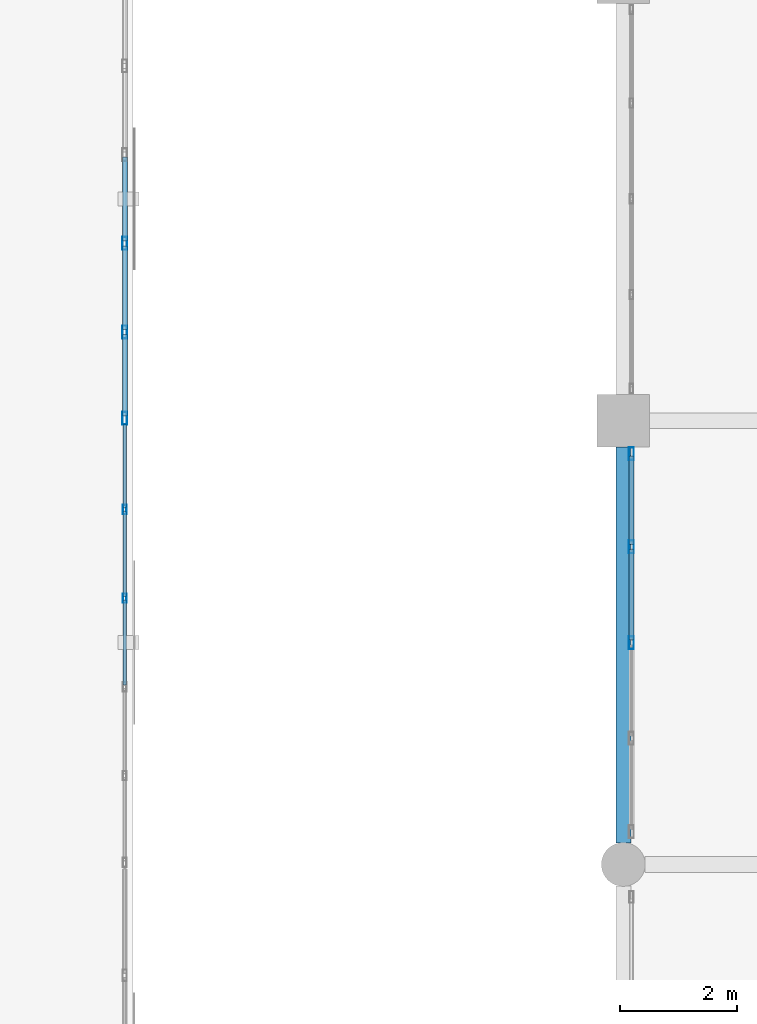
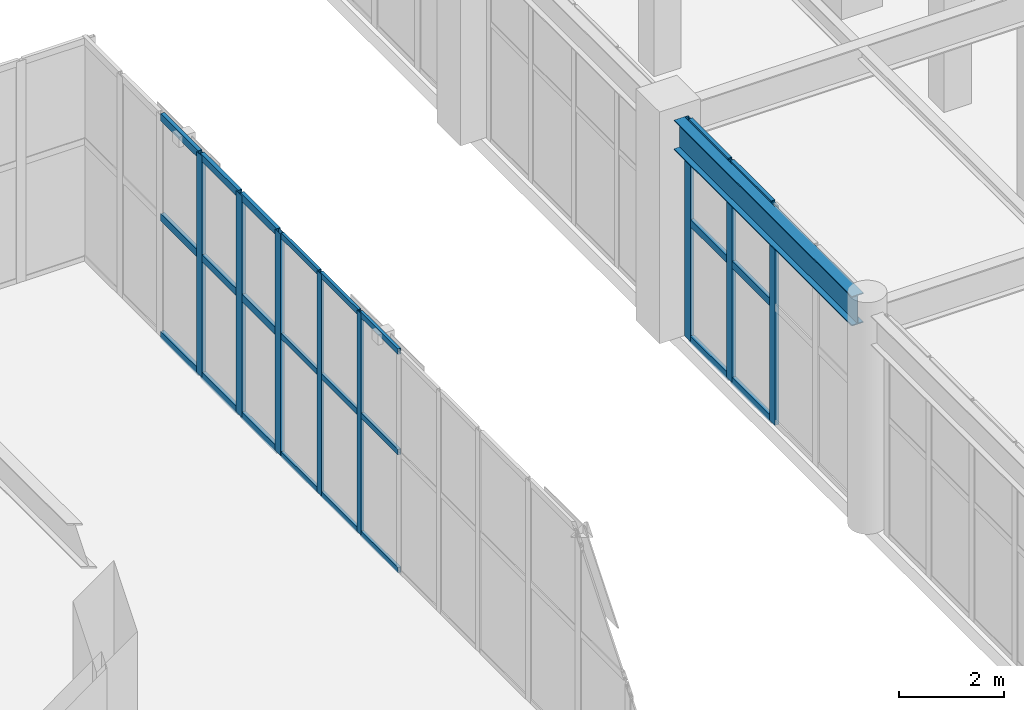
# One storey, part 52 of 139: 32 members, 1 beam, 3 elements without a shape of their own.
"""IFC4 building model written with IfcOpenShell, lengths in metres."""

from ifc_helpers import new_model, si_unit, direction, frame, origin, origin_2d, place, context, subcontext, project, spatial, hollow_rectangle, i_section, extrude, material, layer, layer_set, material_profile, profile_set, type_object, element, aggregate, save


model = new_model("IFC4")

# Units and contexts
model_context = context("Model", 3, precision=1e-05, world=origin(), true_north=direction((0.0, 1.0)))
body_context = subcontext(model_context, "Body", "Model", "MODEL_VIEW")
ifc_project = project(units=[si_unit("LENGTHUNIT", "METRE"), si_unit("AREAUNIT", "SQUARE_METRE"), si_unit("VOLUMEUNIT", "CUBIC_METRE"), si_unit("PLANEANGLEUNIT", "RADIAN"), si_unit("MASSUNIT", "GRAM", prefix="KILO")], contexts=[model_context])

# Site, building, storey
site_placement = place(None, origin())
site = spatial("IfcSite", under=ifc_project, at=site_placement, CompositionType="ELEMENT")
building_placement = place(site_placement, origin())
building = spatial("IfcBuilding", under=site, at=building_placement, Name="Xicomal Pleat Aquarium", CompositionType="ELEMENT")
storey_placement = place(building_placement, origin())
storey = spatial("IfcBuildingStorey", under=building, at=storey_placement, Name="L01", CompositionType="ELEMENT", Elevation=0.0)

# Beam
ifc_material_1 = material(Name="Structural steel A992 Gr 50", Category="steel")
ifc_material_profile_1 = material_profile(ifc_material_1, i_section(OverallWidth=0.256103515625, OverallDepth=0.693115234375, WebThickness=0.014404296875, FlangeThickness=0.023681640625, at=origin_2d()), Name="IR 690x170")
ifc_profile_set_1 = profile_set([ifc_material_profile_1], Name="Structural steel A992 Gr 50")
beam_type = type_object("IfcBeamType", Name="BM-STL-IR690", PredefinedType="BEAM", material=ifc_profile_set_1)
beam_placement = place(storey_placement, frame((43.800048828125, 61.169921875, 4.75341796875), z_axis=(0.0, 1.0, 0.0), x_axis=(-1.0, 0.0, 0.0)))
element("IfcBeam", 1, at=beam_placement, inside=storey, type_object=beam_type, Name="L01 framing beam FGY-L01-06-J-K", PredefinedType="BEAM", context=body_context, shape_type="SweptSolid", body=[
    extrude(i_section(OverallWidth=0.256103515625, OverallDepth=0.693115234375, WebThickness=0.014404296875, FlangeThickness=0.023681640625, at=origin_2d()), origin(), (0.0, 0.0, 1.0), 6.78515625),
])

# Curtain wall, members
ifc_material_2 = material(Name="Bronze anodized aluminium 6063-T6", Category="aluminium")
ifc_layer_1 = layer(ifc_material_2, 0.159912109375)
ifc_layer_set_1 = layer_set([ifc_layer_1], Name="Bronze anodized aluminium 6063-T6")
curtain_wall_type_1 = type_object("IfcCurtainWallType", Name="CW-SYS-01", PredefinedType="NOTDEFINED", material=ifc_layer_set_1)
curtain_wall_1_placement = place(storey_placement, origin())
curtain_wall_1 = element("IfcCurtainWall", 2, at=curtain_wall_1_placement, inside=storey, type_object=curtain_wall_type_1, Name="L01 unitised curtain wall CW-L01-024", PredefinedType="NOTDEFINED")
ifc_material_3 = material(Name="Bronze anodized aluminium 6063-T6", Category="aluminium")
ifc_material_profile_2 = material_profile(ifc_material_3, hollow_rectangle(XDim=0.06494140625, YDim=0.159912109375, WallThickness=0.00390625, at=origin_2d()), Name="ALU MULL 65x160")
ifc_profile_set_2 = profile_set([ifc_material_profile_2], Name="Bronze anodized aluminium 6063-T6")
member_type_1 = type_object("IfcMemberType", Name="CWM-65x160", PredefinedType="MULLION", material=ifc_profile_set_2)
member_1_placement = place(storey_placement, frame((35.260009765625, 66.8798828125, 0.0), z_axis=(0.0, 0.0, 1.0), x_axis=(1.0, 0.0, 0.0)))
member_1 = element("IfcMember", 3, at=member_1_placement, type_object=member_type_1, Name="CW-01 mullion 2", PredefinedType="MULLION", context=body_context, shape_type="SweptSolid", body=[
    extrude(hollow_rectangle(XDim=0.06494140625, YDim=0.159912109375, WallThickness=0.00390625, at=origin_2d()), origin(), (0.0, 0.0, 1.0), 5.159912109375),
])
member_2_placement = place(storey_placement, frame((35.260009765625, 65.360107421875, 0.0), z_axis=(0.0, 0.0, 1.0), x_axis=(1.0, 0.0, 0.0)))
member_2 = element("IfcMember", 4, at=member_2_placement, type_object=member_type_1, Name="CW-01 mullion 3", PredefinedType="MULLION", context=body_context, shape_type="SweptSolid", body=[
    extrude(hollow_rectangle(XDim=0.06494140625, YDim=0.159912109375, WallThickness=0.00390625, at=origin_2d()), origin(), (0.0, 0.0, 1.0), 5.159912109375),
])

ifc_material_4 = material(Name="Bronze anodized aluminium 6063-T6", Category="aluminium")
ifc_layer_2 = layer(ifc_material_4, 0.159912109375)
ifc_layer_set_2 = layer_set([ifc_layer_2], Name="Bronze anodized aluminium 6063-T6")
curtain_wall_type_2 = type_object("IfcCurtainWallType", Name="CW-SYS-11", PredefinedType="NOTDEFINED", material=ifc_layer_set_2)
curtain_wall_2_placement = place(storey_placement, origin())
curtain_wall_2 = element("IfcCurtainWall", 5, at=curtain_wall_2_placement, inside=storey, type_object=curtain_wall_type_2, Name="L01 unitised curtain wall CW-L01-023", PredefinedType="NOTDEFINED")
ifc_material_5 = material(Name="Bronze anodized aluminium 6063-T6", Category="aluminium")
ifc_material_profile_3 = material_profile(ifc_material_5, hollow_rectangle(XDim=0.0849609375, YDim=0.219970703125, WallThickness=0.0048828125, at=origin_2d()), Name="ALU MULL 85x220")
ifc_profile_set_3 = profile_set([ifc_material_profile_3], Name="Bronze anodized aluminium 6063-T6")
member_type_2 = type_object("IfcMemberType", Name="CWM-85x220", PredefinedType="MULLION", material=ifc_profile_set_3)
member_3_placement = place(storey_placement, frame((35.260009765625, 71.43994140625, 0.0), z_axis=(0.0, 0.0, 1.0), x_axis=(1.0, 0.0, 0.0)))
member_3 = element("IfcMember", 6, at=member_3_placement, type_object=member_type_2, Name="CW-11 mullion 4", PredefinedType="MULLION", context=body_context, shape_type="SweptSolid", body=[
    extrude(hollow_rectangle(XDim=0.0849609375, YDim=0.219970703125, WallThickness=0.0048828125, at=origin_2d()), origin(), (0.0, 0.0, 1.0), 5.159912109375),
])
member_4_placement = place(storey_placement, frame((35.260009765625, 69.919921875, 0.0), z_axis=(0.0, 0.0, 1.0), x_axis=(1.0, 0.0, 0.0)))
member_4 = element("IfcMember", 7, at=member_4_placement, type_object=member_type_2, Name="CW-11 mullion 5", PredefinedType="MULLION", context=body_context, shape_type="SweptSolid", body=[
    extrude(hollow_rectangle(XDim=0.0849609375, YDim=0.219970703125, WallThickness=0.0048828125, at=origin_2d()), origin(), (0.0, 0.0, 1.0), 5.159912109375),
])
member_5_placement = place(storey_placement, frame((35.260009765625, 68.4423828125, 0.0), z_axis=(0.0, 0.0, 1.0), x_axis=(1.0, 0.0, 0.0)))
member_5 = element("IfcMember", 8, at=member_5_placement, type_object=member_type_2, Name="CW-11 mullion 6", PredefinedType="MULLION", context=body_context, shape_type="SweptSolid", body=[
    extrude(hollow_rectangle(XDim=0.0849609375, YDim=0.219970703125, WallThickness=0.0048828125, at=origin_2d()), origin(), (0.0, 0.0, 1.0), 5.159912109375),
])

curtain_wall_3_placement = place(storey_placement, origin())
curtain_wall_3 = element("IfcCurtainWall", 9, at=curtain_wall_3_placement, inside=storey, type_object=curtain_wall_type_2, Name="L01 unitised curtain wall CW-L01-032", PredefinedType="NOTDEFINED")
member_6_placement = place(storey_placement, frame((43.93994140625, 64.60009765625, 0.0), z_axis=(0.0, 0.0, 1.0), x_axis=(-1.0, 0.0, 0.0)))
member_6 = element("IfcMember", 10, at=member_6_placement, type_object=member_type_2, Name="CW-11 mullion 3", PredefinedType="MULLION", context=body_context, shape_type="SweptSolid", body=[
    extrude(hollow_rectangle(XDim=0.0849609375, YDim=0.219970703125, WallThickness=0.0048828125, at=origin_2d()), origin(), (0.0, 0.0, 1.0), 5.10009765625),
])
member_7_placement = place(storey_placement, frame((43.93994140625, 66.239990234375, 0.0), z_axis=(0.0, 0.0, 1.0), x_axis=(-1.0, 0.0, 0.0)))
member_7 = element("IfcMember", 11, at=member_7_placement, type_object=member_type_2, Name="CW-11 mullion 4", PredefinedType="MULLION", context=body_context, shape_type="SweptSolid", body=[
    extrude(hollow_rectangle(XDim=0.0849609375, YDim=0.219970703125, WallThickness=0.0048828125, at=origin_2d()), origin(), (0.0, 0.0, 1.0), 5.10009765625),
])
member_8_placement = place(storey_placement, frame((43.93994140625, 67.83740234375, 0.0), z_axis=(0.0, 0.0, 1.0), x_axis=(-1.0, 0.0, 0.0)))
member_8 = element("IfcMember", 12, at=member_8_placement, type_object=member_type_2, Name="CW-11 mullion 5", PredefinedType="MULLION", context=body_context, shape_type="SweptSolid", body=[
    extrude(hollow_rectangle(XDim=0.0849609375, YDim=0.219970703125, WallThickness=0.0048828125, at=origin_2d()), origin(), (0.0, 0.0, 1.0), 5.10009765625),
])

# Member
ifc_material_6 = material(Name="Bronze anodized aluminium 6063-T6", Category="aluminium")
ifc_material_profile_4 = material_profile(ifc_material_6, hollow_rectangle(XDim=0.06494140625, YDim=0.1298828125, WallThickness=0.00390625, at=origin_2d()), Name="ALU TRAN 65x130")
ifc_profile_set_4 = profile_set([ifc_material_profile_4], Name="Bronze anodized aluminium 6063-T6")
member_type_3 = type_object("IfcMemberType", Name="CWT-65x130", PredefinedType="USERDEFINED", material=ifc_profile_set_4)
member_9_placement = place(storey_placement, frame((35.260009765625, 68.3349609375, 0.032470703125), z_axis=(0.0, -1.0, 0.0), x_axis=(1.0, 0.0, 0.0)))
member_9 = element("IfcMember", 13, at=member_9_placement, type_object=member_type_3, Name="CW-01 transom 1.1", ObjectType="TRANSOM", PredefinedType="USERDEFINED", context=body_context, shape_type="SweptSolid", body=[
    extrude(hollow_rectangle(XDim=0.06494140625, YDim=0.1298828125, WallThickness=0.00390625, at=origin_2d()), origin(), (0.0, 0.0, 1.0), 1.42236328125),
])

member_10_placement = place(storey_placement, frame((35.260009765625, 68.3349609375, 2.785888671875), z_axis=(0.0, -1.0, 0.0), x_axis=(1.0, 0.0, 0.0)))
member_10 = element("IfcMember", 14, at=member_10_placement, type_object=member_type_3, Name="CW-01 transom 1.2", ObjectType="TRANSOM", PredefinedType="USERDEFINED", context=body_context, shape_type="SweptSolid", body=[
    extrude(hollow_rectangle(XDim=0.06494140625, YDim=0.1298828125, WallThickness=0.00390625, at=origin_2d()), origin(), (0.0, 0.0, 1.0), 1.42236328125),
])

member_11_placement = place(storey_placement, frame((35.260009765625, 68.3349609375, 5.12744140625), z_axis=(0.0, -1.0, 0.0), x_axis=(1.0, 0.0, 0.0)))
member_11 = element("IfcMember", 15, at=member_11_placement, type_object=member_type_3, Name="CW-01 transom 1.3", ObjectType="TRANSOM", PredefinedType="USERDEFINED", context=body_context, shape_type="SweptSolid", body=[
    extrude(hollow_rectangle(XDim=0.06494140625, YDim=0.1298828125, WallThickness=0.00390625, at=origin_2d()), origin(), (0.0, 0.0, 1.0), 1.42236328125),
])

member_12_placement = place(storey_placement, frame((35.260009765625, 66.847412109375, 0.032470703125), z_axis=(0.0, -1.0, 0.0), x_axis=(1.0, 0.0, 0.0)))
member_12 = element("IfcMember", 16, at=member_12_placement, type_object=member_type_3, Name="CW-01 transom 2.1", ObjectType="TRANSOM", PredefinedType="USERDEFINED", context=body_context, shape_type="SweptSolid", body=[
    extrude(hollow_rectangle(XDim=0.06494140625, YDim=0.1298828125, WallThickness=0.00390625, at=origin_2d()), origin(), (0.0, 0.0, 1.0), 1.454833984375),
])

member_13_placement = place(storey_placement, frame((35.260009765625, 66.847412109375, 2.785888671875), z_axis=(0.0, -1.0, 0.0), x_axis=(1.0, 0.0, 0.0)))
member_13 = element("IfcMember", 17, at=member_13_placement, type_object=member_type_3, Name="CW-01 transom 2.2", ObjectType="TRANSOM", PredefinedType="USERDEFINED", context=body_context, shape_type="SweptSolid", body=[
    extrude(hollow_rectangle(XDim=0.06494140625, YDim=0.1298828125, WallThickness=0.00390625, at=origin_2d()), origin(), (0.0, 0.0, 1.0), 1.454833984375),
])

member_14_placement = place(storey_placement, frame((35.260009765625, 66.847412109375, 5.12744140625), z_axis=(0.0, -1.0, 0.0), x_axis=(1.0, 0.0, 0.0)))
member_14 = element("IfcMember", 18, at=member_14_placement, type_object=member_type_3, Name="CW-01 transom 2.3", ObjectType="TRANSOM", PredefinedType="USERDEFINED", context=body_context, shape_type="SweptSolid", body=[
    extrude(hollow_rectangle(XDim=0.06494140625, YDim=0.1298828125, WallThickness=0.00390625, at=origin_2d()), origin(), (0.0, 0.0, 1.0), 1.454833984375),
])

member_15_placement = place(storey_placement, frame((35.260009765625, 65.327392578125, 0.032470703125), z_axis=(0.0, -1.0, 0.0), x_axis=(1.0, 0.0, 0.0)))
member_15 = element("IfcMember", 19, at=member_15_placement, type_object=member_type_3, Name="CW-01 transom 3.1", ObjectType="TRANSOM", PredefinedType="USERDEFINED", context=body_context, shape_type="SweptSolid", body=[
    extrude(hollow_rectangle(XDim=0.06494140625, YDim=0.1298828125, WallThickness=0.00390625, at=origin_2d()), origin(), (0.0, 0.0, 1.0), 1.454833984375),
])

member_16_placement = place(storey_placement, frame((35.260009765625, 65.327392578125, 2.785888671875), z_axis=(0.0, -1.0, 0.0), x_axis=(1.0, 0.0, 0.0)))
member_16 = element("IfcMember", 20, at=member_16_placement, type_object=member_type_3, Name="CW-01 transom 3.2", ObjectType="TRANSOM", PredefinedType="USERDEFINED", context=body_context, shape_type="SweptSolid", body=[
    extrude(hollow_rectangle(XDim=0.06494140625, YDim=0.1298828125, WallThickness=0.00390625, at=origin_2d()), origin(), (0.0, 0.0, 1.0), 1.454833984375),
])

member_17_placement = place(storey_placement, frame((35.260009765625, 65.327392578125, 5.12744140625), z_axis=(0.0, -1.0, 0.0), x_axis=(1.0, 0.0, 0.0)))
member_17 = element("IfcMember", 21, at=member_17_placement, type_object=member_type_3, Name="CW-01 transom 3.3", ObjectType="TRANSOM", PredefinedType="USERDEFINED", context=body_context, shape_type="SweptSolid", body=[
    extrude(hollow_rectangle(XDim=0.06494140625, YDim=0.1298828125, WallThickness=0.00390625, at=origin_2d()), origin(), (0.0, 0.0, 1.0), 1.454833984375),
])

aggregate(curtain_wall_1, [member_1, member_2, member_9, member_10, member_11, member_12, member_13, member_14, member_15, member_16, member_17])

ifc_material_7 = material(Name="Bronze anodized aluminium 6063-T6", Category="aluminium")
ifc_material_profile_5 = material_profile(ifc_material_7, hollow_rectangle(XDim=0.0849609375, YDim=0.169921875, WallThickness=0.0048828125, at=origin_2d()), Name="ALU TRAN 85x170")
ifc_profile_set_5 = profile_set([ifc_material_profile_5], Name="Bronze anodized aluminium 6063-T6")
member_type_4 = type_object("IfcMemberType", Name="CWT-85x170", PredefinedType="USERDEFINED", material=ifc_profile_set_5)
member_18_placement = place(storey_placement, frame((35.260009765625, 72.91748046875, 0.04248046875), z_axis=(0.0, -1.0, 0.0), x_axis=(1.0, 0.0, 0.0)))
member_18 = element("IfcMember", 22, at=member_18_placement, type_object=member_type_4, Name="CW-11 transom 3.1", ObjectType="TRANSOM", PredefinedType="USERDEFINED", context=body_context, shape_type="SweptSolid", body=[
    extrude(hollow_rectangle(XDim=0.0849609375, YDim=0.169921875, WallThickness=0.0048828125, at=origin_2d()), origin(), (0.0, 0.0, 1.0), 1.43505859375),
])

member_19_placement = place(storey_placement, frame((35.260009765625, 72.91748046875, 2.785888671875), z_axis=(0.0, -1.0, 0.0), x_axis=(1.0, 0.0, 0.0)))
member_19 = element("IfcMember", 23, at=member_19_placement, type_object=member_type_4, Name="CW-11 transom 3.2", ObjectType="TRANSOM", PredefinedType="USERDEFINED", context=body_context, shape_type="SweptSolid", body=[
    extrude(hollow_rectangle(XDim=0.0849609375, YDim=0.169921875, WallThickness=0.0048828125, at=origin_2d()), origin(), (0.0, 0.0, 1.0), 1.43505859375),
])

member_20_placement = place(storey_placement, frame((35.260009765625, 72.91748046875, 5.117431640625), z_axis=(0.0, -1.0, 0.0), x_axis=(1.0, 0.0, 0.0)))
member_20 = element("IfcMember", 24, at=member_20_placement, type_object=member_type_4, Name="CW-11 transom 3.3", ObjectType="TRANSOM", PredefinedType="USERDEFINED", context=body_context, shape_type="SweptSolid", body=[
    extrude(hollow_rectangle(XDim=0.0849609375, YDim=0.169921875, WallThickness=0.0048828125, at=origin_2d()), origin(), (0.0, 0.0, 1.0), 1.43505859375),
])

member_21_placement = place(storey_placement, frame((35.260009765625, 71.3974609375, 0.04248046875), z_axis=(0.0, -1.0, 0.0), x_axis=(1.0, 0.0, 0.0)))
member_21 = element("IfcMember", 25, at=member_21_placement, type_object=member_type_4, Name="CW-11 transom 4.1", ObjectType="TRANSOM", PredefinedType="USERDEFINED", context=body_context, shape_type="SweptSolid", body=[
    extrude(hollow_rectangle(XDim=0.0849609375, YDim=0.169921875, WallThickness=0.0048828125, at=origin_2d()), origin(), (0.0, 0.0, 1.0), 1.43505859375),
])

member_22_placement = place(storey_placement, frame((35.260009765625, 71.3974609375, 2.785888671875), z_axis=(0.0, -1.0, 0.0), x_axis=(1.0, 0.0, 0.0)))
member_22 = element("IfcMember", 26, at=member_22_placement, type_object=member_type_4, Name="CW-11 transom 4.2", ObjectType="TRANSOM", PredefinedType="USERDEFINED", context=body_context, shape_type="SweptSolid", body=[
    extrude(hollow_rectangle(XDim=0.0849609375, YDim=0.169921875, WallThickness=0.0048828125, at=origin_2d()), origin(), (0.0, 0.0, 1.0), 1.43505859375),
])

member_23_placement = place(storey_placement, frame((35.260009765625, 71.3974609375, 5.117431640625), z_axis=(0.0, -1.0, 0.0), x_axis=(1.0, 0.0, 0.0)))
member_23 = element("IfcMember", 27, at=member_23_placement, type_object=member_type_4, Name="CW-11 transom 4.3", ObjectType="TRANSOM", PredefinedType="USERDEFINED", context=body_context, shape_type="SweptSolid", body=[
    extrude(hollow_rectangle(XDim=0.0849609375, YDim=0.169921875, WallThickness=0.0048828125, at=origin_2d()), origin(), (0.0, 0.0, 1.0), 1.43505859375),
])

member_24_placement = place(storey_placement, frame((35.260009765625, 69.87744140625, 0.04248046875), z_axis=(0.0, -1.0, 0.0), x_axis=(1.0, 0.0, 0.0)))
member_24 = element("IfcMember", 28, at=member_24_placement, type_object=member_type_4, Name="CW-11 transom 5.1", ObjectType="TRANSOM", PredefinedType="USERDEFINED", context=body_context, shape_type="SweptSolid", body=[
    extrude(hollow_rectangle(XDim=0.0849609375, YDim=0.169921875, WallThickness=0.0048828125, at=origin_2d()), origin(), (0.0, 0.0, 1.0), 1.392333984375),
])

member_25_placement = place(storey_placement, frame((35.260009765625, 69.87744140625, 2.785888671875), z_axis=(0.0, -1.0, 0.0), x_axis=(1.0, 0.0, 0.0)))
member_25 = element("IfcMember", 29, at=member_25_placement, type_object=member_type_4, Name="CW-11 transom 5.2", ObjectType="TRANSOM", PredefinedType="USERDEFINED", context=body_context, shape_type="SweptSolid", body=[
    extrude(hollow_rectangle(XDim=0.0849609375, YDim=0.169921875, WallThickness=0.0048828125, at=origin_2d()), origin(), (0.0, 0.0, 1.0), 1.392333984375),
])

member_26_placement = place(storey_placement, frame((35.260009765625, 69.87744140625, 5.117431640625), z_axis=(0.0, -1.0, 0.0), x_axis=(1.0, 0.0, 0.0)))
member_26 = element("IfcMember", 30, at=member_26_placement, type_object=member_type_4, Name="CW-11 transom 5.3", ObjectType="TRANSOM", PredefinedType="USERDEFINED", context=body_context, shape_type="SweptSolid", body=[
    extrude(hollow_rectangle(XDim=0.0849609375, YDim=0.169921875, WallThickness=0.0048828125, at=origin_2d()), origin(), (0.0, 0.0, 1.0), 1.392333984375),
])

aggregate(curtain_wall_2, [member_3, member_4, member_5, member_18, member_19, member_20, member_21, member_22, member_23, member_24, member_25, member_26])

member_27_placement = place(storey_placement, frame((43.93994140625, 64.642578125, 0.04248046875), z_axis=(0.0, 1.0, 0.0), x_axis=(-1.0, 0.0, 0.0)))
member_27 = element("IfcMember", 31, at=member_27_placement, type_object=member_type_4, Name="CW-11 transom 3.1", ObjectType="TRANSOM", PredefinedType="USERDEFINED", context=body_context, shape_type="SweptSolid", body=[
    extrude(hollow_rectangle(XDim=0.0849609375, YDim=0.169921875, WallThickness=0.0048828125, at=origin_2d()), origin(), (0.0, 0.0, 1.0), 1.554931640625),
])

member_28_placement = place(storey_placement, frame((43.93994140625, 64.642578125, 2.75390625), z_axis=(0.0, 1.0, 0.0), x_axis=(-1.0, 0.0, 0.0)))
member_28 = element("IfcMember", 32, at=member_28_placement, type_object=member_type_4, Name="CW-11 transom 3.2", ObjectType="TRANSOM", PredefinedType="USERDEFINED", context=body_context, shape_type="SweptSolid", body=[
    extrude(hollow_rectangle(XDim=0.0849609375, YDim=0.169921875, WallThickness=0.0048828125, at=origin_2d()), origin(), (0.0, 0.0, 1.0), 1.554931640625),
])

member_29_placement = place(storey_placement, frame((43.93994140625, 64.642578125, 5.0576171875), z_axis=(0.0, 1.0, 0.0), x_axis=(-1.0, 0.0, 0.0)))
member_29 = element("IfcMember", 33, at=member_29_placement, type_object=member_type_4, Name="CW-11 transom 3.3", ObjectType="TRANSOM", PredefinedType="USERDEFINED", context=body_context, shape_type="SweptSolid", body=[
    extrude(hollow_rectangle(XDim=0.0849609375, YDim=0.169921875, WallThickness=0.0048828125, at=origin_2d()), origin(), (0.0, 0.0, 1.0), 1.554931640625),
])

member_30_placement = place(storey_placement, frame((43.93994140625, 66.282470703125, 0.04248046875), z_axis=(0.0, 1.0, 0.0), x_axis=(-1.0, 0.0, 0.0)))
member_30 = element("IfcMember", 34, at=member_30_placement, type_object=member_type_4, Name="CW-11 transom 4.1", ObjectType="TRANSOM", PredefinedType="USERDEFINED", context=body_context, shape_type="SweptSolid", body=[
    extrude(hollow_rectangle(XDim=0.0849609375, YDim=0.169921875, WallThickness=0.0048828125, at=origin_2d()), origin(), (0.0, 0.0, 1.0), 1.512451171875),
])

member_31_placement = place(storey_placement, frame((43.93994140625, 66.282470703125, 2.75390625), z_axis=(0.0, 1.0, 0.0), x_axis=(-1.0, 0.0, 0.0)))
member_31 = element("IfcMember", 35, at=member_31_placement, type_object=member_type_4, Name="CW-11 transom 4.2", ObjectType="TRANSOM", PredefinedType="USERDEFINED", context=body_context, shape_type="SweptSolid", body=[
    extrude(hollow_rectangle(XDim=0.0849609375, YDim=0.169921875, WallThickness=0.0048828125, at=origin_2d()), origin(), (0.0, 0.0, 1.0), 1.512451171875),
])

member_32_placement = place(storey_placement, frame((43.93994140625, 66.282470703125, 5.0576171875), z_axis=(0.0, 1.0, 0.0), x_axis=(-1.0, 0.0, 0.0)))
member_32 = element("IfcMember", 36, at=member_32_placement, type_object=member_type_4, Name="CW-11 transom 4.3", ObjectType="TRANSOM", PredefinedType="USERDEFINED", context=body_context, shape_type="SweptSolid", body=[
    extrude(hollow_rectangle(XDim=0.0849609375, YDim=0.169921875, WallThickness=0.0048828125, at=origin_2d()), origin(), (0.0, 0.0, 1.0), 1.512451171875),
])

aggregate(curtain_wall_3, [member_6, member_7, member_8, member_27, member_28, member_29, member_30, member_31, member_32])

save(model, "model.ifc")
